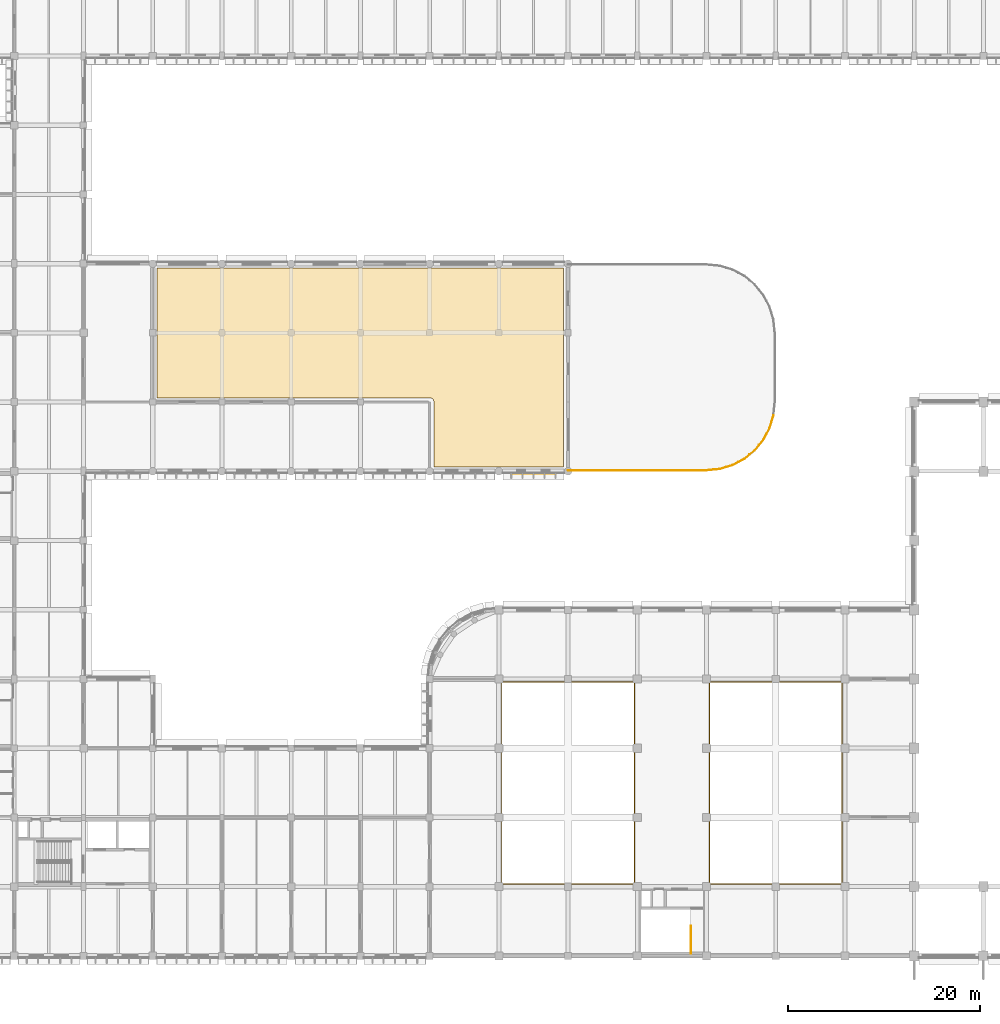
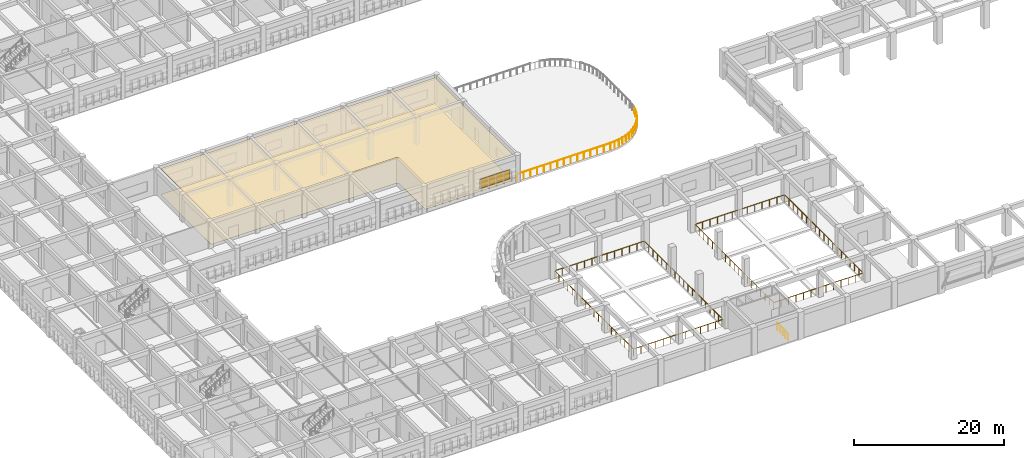
# One storey, part 57 of 61: 12 railings, 2 coverings, 1 shading device.
"""IFC4 building model written with IfcOpenShell, lengths in metres."""

from ifc_helpers import new_model, si_unit, direction, frame, origin, origin_2d, place, context, subcontext, project, spatial, polyline, rectangle, circle, outline, extrude, material, layer, layer_set, type_object, element, save


model = new_model("IFC4")

# Units and contexts
model_context = context("Model", 3, precision=1e-05, world=origin(), true_north=direction((0.0, 1.0)))
body_context = subcontext(model_context, "Body", "Model", "MODEL_VIEW")
ifc_project = project(units=[si_unit("LENGTHUNIT", "METRE"), si_unit("AREAUNIT", "SQUARE_METRE"), si_unit("VOLUMEUNIT", "CUBIC_METRE"), si_unit("PLANEANGLEUNIT", "RADIAN"), si_unit("MASSUNIT", "GRAM", prefix="KILO")], contexts=[model_context])

# Site, building, storey
site_placement = place(None, origin())
site = spatial("IfcSite", under=ifc_project, at=site_placement, CompositionType="ELEMENT")
building_placement = place(site_placement, origin())
building = spatial("IfcBuilding", under=site, at=building_placement, Name="Thalmaran Polytechnic", CompositionType="ELEMENT")
storey_placement = place(building_placement, frame((0.0, 0.0, 9.89990234375)))
storey = spatial("IfcBuildingStorey", under=building, at=storey_placement, Name="L02", CompositionType="ELEMENT", Elevation=9.89990234375)

# Coverings
ifc_material_1 = material(Name="Acoustic mineral fibre ceiling")
ifc_layer_1 = layer(ifc_material_1, 0.02490234375, Name="Acoustic mineral fibre ceiling")
ifc_layer_set_1 = layer_set([ifc_layer_1], Name="Acoustic mineral fibre ceiling")
covering_type_1 = type_object("IfcCoveringType", Name="CV-CL01", PredefinedType="CEILING", material=ifc_layer_set_1)
covering_1_placement = place(storey_placement, frame((0.0, 0.0, 4.2001953125)))
element("IfcCovering", 1, at=covering_1_placement, inside=storey, type_object=covering_type_1, Name="Student Union Reading Lounge Acoustic Ceiling", PredefinedType="CEILING", context=body_context, shape_type="SweptSolid", body=[
    extrude(outline(polyline([(29.25, 71.550048828125), (71.550048828125, 71.550048828125), (71.550048828125, 50.85009765625), (58.050048828125, 50.85009765625), (58.050048828125, 57.60009765625), (58.0478515625, 57.64404296875), (58.041259765625, 57.687744140625), (58.030517578125, 57.730712890625), (58.015625, 57.772216796875), (57.996826171875, 57.81201171875), (57.97412109375, 57.85009765625), (57.94775390625, 57.885498046875), (57.918212890625, 57.918212890625), (57.885498046875, 57.94775390625), (57.85009765625, 57.97412109375), (57.81201171875, 57.996826171875), (57.772216796875, 58.015625), (57.730712890625, 58.030517578125), (57.687744140625, 58.041259765625), (57.64404296875, 58.0478515625), (57.60009765625, 58.050048828125), (29.25, 58.050048828125), (29.25, 71.550048828125)])), origin(), (0.0, 0.0, 1.0), 0.02490234375),
])
ifc_material_2 = material(Name="Polished terrazzo and epoxy lab flooring")
ifc_layer_2 = layer(ifc_material_2, 0.02001953125, Name="Polished terrazzo and epoxy lab flooring")
ifc_layer_set_2 = layer_set([ifc_layer_2], Name="Polished terrazzo and epoxy lab flooring")
covering_type_2 = type_object("IfcCoveringType", Name="CV-FL01", PredefinedType="FLOORING", material=ifc_layer_set_2)
covering_2_placement = place(storey_placement, origin())
element("IfcCovering", 2, at=covering_2_placement, inside=storey, type_object=covering_type_2, Name="Student Union Reading Lounge Specialist Finish Flooring", PredefinedType="FLOORING", context=body_context, shape_type="SweptSolid", body=[
    extrude(outline(polyline([(29.25, 71.550048828125), (71.550048828125, 71.550048828125), (71.550048828125, 50.85009765625), (58.050048828125, 50.85009765625), (58.050048828125, 57.60009765625), (58.0478515625, 57.64404296875), (58.041259765625, 57.687744140625), (58.030517578125, 57.730712890625), (58.015625, 57.772216796875), (57.996826171875, 57.81201171875), (57.97412109375, 57.85009765625), (57.94775390625, 57.885498046875), (57.918212890625, 57.918212890625), (57.885498046875, 57.94775390625), (57.85009765625, 57.97412109375), (57.81201171875, 57.996826171875), (57.772216796875, 58.015625), (57.730712890625, 58.030517578125), (57.687744140625, 58.041259765625), (57.64404296875, 58.0478515625), (57.60009765625, 58.050048828125), (29.25, 58.050048828125), (29.25, 71.550048828125)])), origin(), (0.0, 0.0, 1.0), 0.02001953125),
])

# Railings
ifc_material_3 = material(Name="Stainless steel 316 and laminated glass", Category="steel")
railing_type_1 = type_object("IfcRailingType", Name="RL-BL01", PredefinedType="BALUSTRADE", material=ifc_material_3)
railing_1_placement = place(storey_placement, frame((93.363037109375, 56.21484375, 0.0)))
element("IfcRailing", 3, at=railing_1_placement, inside=storey, type_object=railing_type_1, Name="Terrace Balustrade Guard L02-1-13", PredefinedType="BALUSTRADE", context=body_context, shape_type="SweptSolid", body=[
    extrude(circle(Radius=0.02392578125, at=origin_2d()), frame((0.0, 0.0, 1.1259765625), z_axis=(-0.290323847684, -0.956928452637, 0.0), x_axis=(0.956928452637, -0.290323847684, 0.0)), (0.0, 0.0, 1.0), 1.391845703125),
    extrude(circle(Radius=0.02099609375, at=origin_2d()), origin(), (0.0, 0.0, 1.0), 1.101806640625),
    extrude(circle(Radius=0.02099609375, at=origin_2d()), frame((-0.2021484375, -0.666015625, 0.0)), (0.0, 0.0, 1.0), 1.101806640625),
    extrude(circle(Radius=0.02099609375, at=origin_2d()), frame((-0.404052734375, -1.331787109375, 0.0)), (0.0, 0.0, 1.0), 1.101806640625),
])
railing_2_placement = place(storey_placement, frame((92.958984375, 54.883056640625, 0.0)))
element("IfcRailing", 4, at=railing_2_placement, inside=storey, type_object=railing_type_1, Name="Terrace Balustrade Guard L02-1-14", PredefinedType="BALUSTRADE", context=body_context, shape_type="SweptSolid", body=[
    extrude(circle(Radius=0.02392578125, at=origin_2d()), frame((0.0, 0.0, 1.1259765625), z_axis=(-0.471398445147, -0.88192035123, 0.0), x_axis=(0.88192035123, -0.471398445147, 0.0)), (0.0, 0.0, 1.0), 1.3916015625),
    extrude(circle(Radius=0.02099609375, at=origin_2d()), origin(), (0.0, 0.0, 1.0), 1.101806640625),
    extrude(circle(Radius=0.02099609375, at=origin_2d()), frame((-0.328125, -0.61376953125, 0.0)), (0.0, 0.0, 1.0), 1.101806640625),
    extrude(circle(Radius=0.02099609375, at=origin_2d()), frame((-0.656005859375, -1.227294921875, 0.0)), (0.0, 0.0, 1.0), 1.101806640625),
])
railing_3_placement = place(storey_placement, frame((92.302978515625, 53.65576171875, 0.0)))
element("IfcRailing", 5, at=railing_3_placement, inside=storey, type_object=railing_type_1, Name="Terrace Balustrade Guard L02-1-15", PredefinedType="BALUSTRADE", context=body_context, shape_type="SweptSolid", body=[
    extrude(circle(Radius=0.02392578125, at=origin_2d()), frame((0.0, 0.0, 1.1259765625), z_axis=(-0.634316611678, -0.773073370483, 0.0), x_axis=(0.773073370483, -0.634316611678, 0.0)), (0.0, 0.0, 1.0), 1.391845703125),
    extrude(circle(Radius=0.02099609375, at=origin_2d()), origin(), (0.0, 0.0, 1.0), 1.101806640625),
    extrude(circle(Radius=0.02099609375, at=origin_2d()), frame((-0.44140625, -0.5380859375, 0.0)), (0.0, 0.0, 1.0), 1.101806640625),
    extrude(circle(Radius=0.02099609375, at=origin_2d()), frame((-0.8828125, -1.075927734375, 0.0)), (0.0, 0.0, 1.0), 1.101806640625),
])
railing_4_placement = place(storey_placement, frame((91.420166015625, 52.579833984375, 0.0)))
element("IfcRailing", 6, at=railing_4_placement, inside=storey, type_object=railing_type_1, Name="Terrace Balustrade Guard L02-1-16", PredefinedType="BALUSTRADE", context=body_context, shape_type="SweptSolid", body=[
    extrude(circle(Radius=0.02392578125, at=origin_2d()), frame((0.0, 0.0, 1.1259765625), z_axis=(-0.773073370483, -0.634316611678, 0.0), x_axis=(0.634316611678, -0.773073370483, 0.0)), (0.0, 0.0, 1.0), 1.391845703125),
    extrude(circle(Radius=0.02099609375, at=origin_2d()), origin(), (0.0, 0.0, 1.0), 1.101806640625),
    extrude(circle(Radius=0.02099609375, at=origin_2d()), frame((-0.5380859375, -0.44140625, 0.0)), (0.0, 0.0, 1.0), 1.101806640625),
    extrude(circle(Radius=0.02099609375, at=origin_2d()), frame((-1.075927734375, -0.8828125, 0.0)), (0.0, 0.0, 1.0), 1.101806640625),
])
railing_5_placement = place(storey_placement, frame((90.34423828125, 51.697021484375, 0.0)))
element("IfcRailing", 7, at=railing_5_placement, inside=storey, type_object=railing_type_1, Name="Terrace Balustrade Guard L02-1-17", PredefinedType="BALUSTRADE", context=body_context, shape_type="SweptSolid", body=[
    extrude(circle(Radius=0.02392578125, at=origin_2d()), frame((0.0, 0.0, 1.1259765625), z_axis=(-0.88192035123, -0.471398445147, 0.0), x_axis=(0.471398445147, -0.88192035123, 0.0)), (0.0, 0.0, 1.0), 1.3916015625),
    extrude(circle(Radius=0.02099609375, at=origin_2d()), origin(), (0.0, 0.0, 1.0), 1.101806640625),
    extrude(circle(Radius=0.02099609375, at=origin_2d()), frame((-0.61376953125, -0.328125, 0.0)), (0.0, 0.0, 1.0), 1.101806640625),
    extrude(circle(Radius=0.02099609375, at=origin_2d()), frame((-1.227294921875, -0.656005859375, 0.0)), (0.0, 0.0, 1.0), 1.101806640625),
])
railing_6_placement = place(storey_placement, frame((89.116943359375, 51.041015625, 0.0)))
element("IfcRailing", 8, at=railing_6_placement, inside=storey, type_object=railing_type_1, Name="Terrace Balustrade Guard L02-1-18", PredefinedType="BALUSTRADE", context=body_context, shape_type="SweptSolid", body=[
    extrude(circle(Radius=0.02392578125, at=origin_2d()), frame((0.0, 0.0, 1.1259765625), z_axis=(-0.956928452637, -0.290323847684, 0.0), x_axis=(0.290323847684, -0.956928452637, 0.0)), (0.0, 0.0, 1.0), 1.391845703125),
    extrude(circle(Radius=0.02099609375, at=origin_2d()), origin(), (0.0, 0.0, 1.0), 1.101806640625),
    extrude(circle(Radius=0.02099609375, at=origin_2d()), frame((-0.666015625, -0.2021484375, 0.0)), (0.0, 0.0, 1.0), 1.101806640625),
    extrude(circle(Radius=0.02099609375, at=origin_2d()), frame((-1.331787109375, -0.404052734375, 0.0)), (0.0, 0.0, 1.0), 1.101806640625),
])
railing_7_placement = place(storey_placement, frame((87.78515625, 50.636962890625, 0.0)))
element("IfcRailing", 9, at=railing_7_placement, inside=storey, type_object=railing_type_1, Name="Terrace Balustrade Guard L02-1-19", PredefinedType="BALUSTRADE", context=body_context, shape_type="SweptSolid", body=[
    extrude(circle(Radius=0.02392578125, at=origin_2d()), frame((0.0, 0.0, 1.1259765625), z_axis=(-0.995181487746, -0.098050020131, 0.0), x_axis=(0.098050020131, -0.995181487746, 0.0)), (0.0, 0.0, 1.0), 1.39697265625),
    extrude(circle(Radius=0.02099609375, at=origin_2d()), origin(), (0.0, 0.0, 1.0), 1.101806640625),
    extrude(circle(Radius=0.02099609375, at=origin_2d()), frame((-0.695068359375, -0.068359375, 0.0)), (0.0, 0.0, 1.0), 1.101806640625),
    extrude(circle(Radius=0.02099609375, at=origin_2d()), frame((-1.39013671875, -0.136962890625, 0.0)), (0.0, 0.0, 1.0), 1.101806640625),
])
railing_8_placement = place(storey_placement, frame((86.39501953125, 50.5, 0.0)))
element("IfcRailing", 10, at=railing_8_placement, inside=storey, type_object=railing_type_1, Name="Terrace Balustrade Guard L02-1-20", PredefinedType="BALUSTRADE", context=body_context, shape_type="SweptSolid", body=[
    extrude(circle(Radius=0.02392578125, at=origin_2d()), frame((0.0, 0.0, 1.1259765625), z_axis=(-1.0, 0.0, 0.0), x_axis=(0.0, -1.0, 0.0)), (0.0, 0.0, 1.0), 7.1474609375),
    extrude(circle(Radius=0.02099609375, at=origin_2d()), origin(), (0.0, 0.0, 1.0), 1.101806640625),
    extrude(circle(Radius=0.02099609375, at=origin_2d()), frame((-1.02099609375, 0.0, 0.0)), (0.0, 0.0, 1.0), 1.101806640625),
    extrude(circle(Radius=0.02099609375, at=origin_2d()), frame((-2.042236328125, 0.0, 0.0)), (0.0, 0.0, 1.0), 1.101806640625),
    extrude(circle(Radius=0.02099609375, at=origin_2d()), frame((-3.063232421875, 0.0, 0.0)), (0.0, 0.0, 1.0), 1.101806640625),
    extrude(circle(Radius=0.02099609375, at=origin_2d()), frame((-4.084228515625, 0.0, 0.0)), (0.0, 0.0, 1.0), 1.101806640625),
    extrude(circle(Radius=0.02099609375, at=origin_2d()), frame((-5.105224609375, 0.0, 0.0)), (0.0, 0.0, 1.0), 1.101806640625),
    extrude(circle(Radius=0.02099609375, at=origin_2d()), frame((-6.12646484375, 0.0, 0.0)), (0.0, 0.0, 1.0), 1.101806640625),
    extrude(circle(Radius=0.02099609375, at=origin_2d()), frame((-7.1474609375, 0.0, 0.0)), (0.0, 0.0, 1.0), 1.101806640625),
])
railing_9_placement = place(storey_placement, frame((79.24755859375, 50.5, 0.0)))
element("IfcRailing", 11, at=railing_9_placement, inside=storey, type_object=railing_type_1, Name="Terrace Balustrade Guard L02-1-21", PredefinedType="BALUSTRADE", context=body_context, shape_type="SweptSolid", body=[
    extrude(circle(Radius=0.02392578125, at=origin_2d()), frame((0.0, 0.0, 1.1259765625), z_axis=(-1.0, 0.0, 0.0), x_axis=(0.0, -1.0, 0.0)), (0.0, 0.0, 1.0), 7.237548828125),
    extrude(circle(Radius=0.02099609375, at=origin_2d()), origin(), (0.0, 0.0, 1.0), 1.101806640625),
    extrude(circle(Radius=0.02099609375, at=origin_2d()), frame((-1.033935546875, 0.0, 0.0)), (0.0, 0.0, 1.0), 1.101806640625),
    extrude(circle(Radius=0.02099609375, at=origin_2d()), frame((-2.06787109375, 0.0, 0.0)), (0.0, 0.0, 1.0), 1.101806640625),
    extrude(circle(Radius=0.02099609375, at=origin_2d()), frame((-3.101806640625, 0.0, 0.0)), (0.0, 0.0, 1.0), 1.101806640625),
    extrude(circle(Radius=0.02099609375, at=origin_2d()), frame((-4.1357421875, 0.0, 0.0)), (0.0, 0.0, 1.0), 1.101806640625),
    extrude(circle(Radius=0.02099609375, at=origin_2d()), frame((-5.169677734375, 0.0, 0.0)), (0.0, 0.0, 1.0), 1.101806640625),
    extrude(circle(Radius=0.02099609375, at=origin_2d()), frame((-6.20361328125, 0.0, 0.0)), (0.0, 0.0, 1.0), 1.101806640625),
    extrude(circle(Radius=0.02099609375, at=origin_2d()), frame((-7.237548828125, 0.0, 0.0)), (0.0, 0.0, 1.0), 1.101806640625),
])
ifc_material_4 = material(Name="Stainless steel 316", Category="steel")
railing_type_2 = type_object("IfcRailingType", Name="RL-GR01", PredefinedType="GUARDRAIL", material=ifc_material_4)
railing_10_placement = place(storey_placement, frame((84.77001953125, 0.25, 0.0)))
element("IfcRailing", 12, at=railing_10_placement, inside=storey, type_object=railing_type_2, Name="ST7 L02 Landing Edge Guardrail", PredefinedType="GUARDRAIL", context=body_context, shape_type="SweptSolid", body=[
    extrude(circle(Radius=0.02392578125, at=origin_2d()), frame((0.0, 0.0, 1.1259765625), z_axis=(0.0, 1.0, 0.0), x_axis=(-1.0, 0.0, 0.0)), (0.0, 0.0, 1.0), 2.8701171875),
    extrude(circle(Radius=0.02099609375, at=origin_2d()), origin(), (0.0, 0.0, 1.0), 1.101806640625),
    extrude(circle(Radius=0.02099609375, at=origin_2d()), frame((0.0, 0.717529296875, 0.0)), (0.0, 0.0, 1.0), 1.101806640625),
    extrude(circle(Radius=0.02099609375, at=origin_2d()), frame((0.0, 1.43505859375, 0.0)), (0.0, 0.0, 1.0), 1.101806640625),
    extrude(circle(Radius=0.02099609375, at=origin_2d()), frame((0.0, 2.152587890625, 0.0)), (0.0, 0.0, 1.0), 1.101806640625),
    extrude(circle(Radius=0.02099609375, at=origin_2d()), frame((0.0, 2.8701171875, 0.0)), (0.0, 0.0, 1.0), 1.101806640625),
])
railing_11_placement = place(storey_placement, frame((65.10009765625, 7.5, 0.0)))
element("IfcRailing", 13, at=railing_11_placement, inside=storey, type_object=railing_type_2, Name="Lecture Bowl Gallery Guard L02-1", PredefinedType="GUARDRAIL", context=body_context, shape_type="SweptSolid", body=[
    extrude(circle(Radius=0.02392578125, at=origin_2d()), frame((0.0, 0.0, 1.1259765625), z_axis=(1.0, 0.0, 0.0), x_axis=(0.0, 1.0, 0.0)), (0.0, 0.0, 1.0), 13.7998046875),
    extrude(circle(Radius=0.02392578125, at=origin_2d()), frame((13.7998046875, 0.0, 1.1259765625), z_axis=(0.0, 1.0, 0.0), x_axis=(-1.0, 0.0, 0.0)), (0.0, 0.0, 1.0), 21.0),
    extrude(circle(Radius=0.02392578125, at=origin_2d()), frame((13.7998046875, 21.0, 1.1259765625), z_axis=(-1.0, 0.0, 0.0), x_axis=(0.0, -1.0, 0.0)), (0.0, 0.0, 1.0), 13.7998046875),
    extrude(circle(Radius=0.02392578125, at=origin_2d()), frame((0.0, 21.0, 1.1259765625), z_axis=(0.0, -1.0, 0.0), x_axis=(1.0, 0.0, 0.0)), (0.0, 0.0, 1.0), 21.0),
    extrude(circle(Radius=0.02099609375, at=origin_2d()), origin(), (0.0, 0.0, 1.0), 1.101806640625),
    extrude(circle(Radius=0.02099609375, at=origin_2d()), frame((1.14990234375, 0.0, 0.0)), (0.0, 0.0, 1.0), 1.101806640625),
    extrude(circle(Radius=0.02099609375, at=origin_2d()), frame((2.300048828125, 0.0, 0.0)), (0.0, 0.0, 1.0), 1.101806640625),
    extrude(circle(Radius=0.02099609375, at=origin_2d()), frame((3.449951171875, 0.0, 0.0)), (0.0, 0.0, 1.0), 1.101806640625),
    extrude(circle(Radius=0.02099609375, at=origin_2d()), frame((4.599853515625, 0.0, 0.0)), (0.0, 0.0, 1.0), 1.101806640625),
    extrude(circle(Radius=0.02099609375, at=origin_2d()), frame((5.75, 0.0, 0.0)), (0.0, 0.0, 1.0), 1.101806640625),
    extrude(circle(Radius=0.02099609375, at=origin_2d()), frame((6.89990234375, 0.0, 0.0)), (0.0, 0.0, 1.0), 1.101806640625),
    extrude(circle(Radius=0.02099609375, at=origin_2d()), frame((8.0498046875, 0.0, 0.0)), (0.0, 0.0, 1.0), 1.101806640625),
    extrude(circle(Radius=0.02099609375, at=origin_2d()), frame((9.199951171875, 0.0, 0.0)), (0.0, 0.0, 1.0), 1.101806640625),
    extrude(circle(Radius=0.02099609375, at=origin_2d()), frame((10.349853515625, 0.0, 0.0)), (0.0, 0.0, 1.0), 1.101806640625),
    extrude(circle(Radius=0.02099609375, at=origin_2d()), frame((11.499755859375, 0.0, 0.0)), (0.0, 0.0, 1.0), 1.101806640625),
    extrude(circle(Radius=0.02099609375, at=origin_2d()), frame((12.64990234375, 0.0, 0.0)), (0.0, 0.0, 1.0), 1.101806640625),
    extrude(circle(Radius=0.02099609375, at=origin_2d()), frame((13.7998046875, 0.0, 0.0)), (0.0, 0.0, 1.0), 1.101806640625),
    extrude(circle(Radius=0.02099609375, at=origin_2d()), frame((13.7998046875, 1.166748046875, 0.0)), (0.0, 0.0, 1.0), 1.101806640625),
    extrude(circle(Radius=0.02099609375, at=origin_2d()), frame((13.7998046875, 2.333251953125, 0.0)), (0.0, 0.0, 1.0), 1.101806640625),
    extrude(circle(Radius=0.02099609375, at=origin_2d()), frame((13.7998046875, 3.5, 0.0)), (0.0, 0.0, 1.0), 1.101806640625),
    extrude(circle(Radius=0.02099609375, at=origin_2d()), frame((13.7998046875, 4.666748046875, 0.0)), (0.0, 0.0, 1.0), 1.101806640625),
    extrude(circle(Radius=0.02099609375, at=origin_2d()), frame((13.7998046875, 5.833251953125, 0.0)), (0.0, 0.0, 1.0), 1.101806640625),
    extrude(circle(Radius=0.02099609375, at=origin_2d()), frame((13.7998046875, 7.0, 0.0)), (0.0, 0.0, 1.0), 1.101806640625),
    extrude(circle(Radius=0.02099609375, at=origin_2d()), frame((13.7998046875, 8.166748046875, 0.0)), (0.0, 0.0, 1.0), 1.101806640625),
    extrude(circle(Radius=0.02099609375, at=origin_2d()), frame((13.7998046875, 9.333251953125, 0.0)), (0.0, 0.0, 1.0), 1.101806640625),
    extrude(circle(Radius=0.02099609375, at=origin_2d()), frame((13.7998046875, 10.5, 0.0)), (0.0, 0.0, 1.0), 1.101806640625),
    extrude(circle(Radius=0.02099609375, at=origin_2d()), frame((13.7998046875, 11.666748046875, 0.0)), (0.0, 0.0, 1.0), 1.101806640625),
    extrude(circle(Radius=0.02099609375, at=origin_2d()), frame((13.7998046875, 12.833251953125, 0.0)), (0.0, 0.0, 1.0), 1.101806640625),
    extrude(circle(Radius=0.02099609375, at=origin_2d()), frame((13.7998046875, 14.0, 0.0)), (0.0, 0.0, 1.0), 1.101806640625),
    extrude(circle(Radius=0.02099609375, at=origin_2d()), frame((13.7998046875, 15.166748046875, 0.0)), (0.0, 0.0, 1.0), 1.101806640625),
    extrude(circle(Radius=0.02099609375, at=origin_2d()), frame((13.7998046875, 16.333251953125, 0.0)), (0.0, 0.0, 1.0), 1.101806640625),
    extrude(circle(Radius=0.02099609375, at=origin_2d()), frame((13.7998046875, 17.5, 0.0)), (0.0, 0.0, 1.0), 1.101806640625),
    extrude(circle(Radius=0.02099609375, at=origin_2d()), frame((13.7998046875, 18.666748046875, 0.0)), (0.0, 0.0, 1.0), 1.101806640625),
    extrude(circle(Radius=0.02099609375, at=origin_2d()), frame((13.7998046875, 19.833251953125, 0.0)), (0.0, 0.0, 1.0), 1.101806640625),
    extrude(circle(Radius=0.02099609375, at=origin_2d()), frame((13.7998046875, 21.0, 0.0)), (0.0, 0.0, 1.0), 1.101806640625),
    extrude(circle(Radius=0.02099609375, at=origin_2d()), frame((12.64990234375, 21.0, 0.0)), (0.0, 0.0, 1.0), 1.101806640625),
    extrude(circle(Radius=0.02099609375, at=origin_2d()), frame((11.499755859375, 21.0, 0.0)), (0.0, 0.0, 1.0), 1.101806640625),
    extrude(circle(Radius=0.02099609375, at=origin_2d()), frame((10.349853515625, 21.0, 0.0)), (0.0, 0.0, 1.0), 1.101806640625),
    extrude(circle(Radius=0.02099609375, at=origin_2d()), frame((9.199951171875, 21.0, 0.0)), (0.0, 0.0, 1.0), 1.101806640625),
    extrude(circle(Radius=0.02099609375, at=origin_2d()), frame((8.0498046875, 21.0, 0.0)), (0.0, 0.0, 1.0), 1.101806640625),
    extrude(circle(Radius=0.02099609375, at=origin_2d()), frame((6.89990234375, 21.0, 0.0)), (0.0, 0.0, 1.0), 1.101806640625),
    extrude(circle(Radius=0.02099609375, at=origin_2d()), frame((5.75, 21.0, 0.0)), (0.0, 0.0, 1.0), 1.101806640625),
    extrude(circle(Radius=0.02099609375, at=origin_2d()), frame((4.599853515625, 21.0, 0.0)), (0.0, 0.0, 1.0), 1.101806640625),
    extrude(circle(Radius=0.02099609375, at=origin_2d()), frame((3.449951171875, 21.0, 0.0)), (0.0, 0.0, 1.0), 1.101806640625),
    extrude(circle(Radius=0.02099609375, at=origin_2d()), frame((2.300048828125, 21.0, 0.0)), (0.0, 0.0, 1.0), 1.101806640625),
    extrude(circle(Radius=0.02099609375, at=origin_2d()), frame((1.14990234375, 21.0, 0.0)), (0.0, 0.0, 1.0), 1.101806640625),
    extrude(circle(Radius=0.02099609375, at=origin_2d()), frame((0.0, 21.0, 0.0)), (0.0, 0.0, 1.0), 1.101806640625),
    extrude(circle(Radius=0.02099609375, at=origin_2d()), frame((0.0, 19.833251953125, 0.0)), (0.0, 0.0, 1.0), 1.101806640625),
    extrude(circle(Radius=0.02099609375, at=origin_2d()), frame((0.0, 18.666748046875, 0.0)), (0.0, 0.0, 1.0), 1.101806640625),
    extrude(circle(Radius=0.02099609375, at=origin_2d()), frame((0.0, 17.5, 0.0)), (0.0, 0.0, 1.0), 1.101806640625),
    extrude(circle(Radius=0.02099609375, at=origin_2d()), frame((0.0, 16.333251953125, 0.0)), (0.0, 0.0, 1.0), 1.101806640625),
    extrude(circle(Radius=0.02099609375, at=origin_2d()), frame((0.0, 15.166748046875, 0.0)), (0.0, 0.0, 1.0), 1.101806640625),
    extrude(circle(Radius=0.02099609375, at=origin_2d()), frame((0.0, 14.0, 0.0)), (0.0, 0.0, 1.0), 1.101806640625),
    extrude(circle(Radius=0.02099609375, at=origin_2d()), frame((0.0, 12.833251953125, 0.0)), (0.0, 0.0, 1.0), 1.101806640625),
    extrude(circle(Radius=0.02099609375, at=origin_2d()), frame((0.0, 11.666748046875, 0.0)), (0.0, 0.0, 1.0), 1.101806640625),
    extrude(circle(Radius=0.02099609375, at=origin_2d()), frame((0.0, 10.5, 0.0)), (0.0, 0.0, 1.0), 1.101806640625),
    extrude(circle(Radius=0.02099609375, at=origin_2d()), frame((0.0, 9.333251953125, 0.0)), (0.0, 0.0, 1.0), 1.101806640625),
    extrude(circle(Radius=0.02099609375, at=origin_2d()), frame((0.0, 8.166748046875, 0.0)), (0.0, 0.0, 1.0), 1.101806640625),
    extrude(circle(Radius=0.02099609375, at=origin_2d()), frame((0.0, 7.0, 0.0)), (0.0, 0.0, 1.0), 1.101806640625),
    extrude(circle(Radius=0.02099609375, at=origin_2d()), frame((0.0, 5.833251953125, 0.0)), (0.0, 0.0, 1.0), 1.101806640625),
    extrude(circle(Radius=0.02099609375, at=origin_2d()), frame((0.0, 4.666748046875, 0.0)), (0.0, 0.0, 1.0), 1.101806640625),
    extrude(circle(Radius=0.02099609375, at=origin_2d()), frame((0.0, 3.5, 0.0)), (0.0, 0.0, 1.0), 1.101806640625),
    extrude(circle(Radius=0.02099609375, at=origin_2d()), frame((0.0, 2.333251953125, 0.0)), (0.0, 0.0, 1.0), 1.101806640625),
    extrude(circle(Radius=0.02099609375, at=origin_2d()), frame((0.0, 1.166748046875, 0.0)), (0.0, 0.0, 1.0), 1.101806640625),
])
railing_12_placement = place(storey_placement, frame((86.699951171875, 7.5, 0.0)))
element("IfcRailing", 14, at=railing_12_placement, inside=storey, type_object=railing_type_2, Name="Lecture Bowl Gallery Guard L02-2", PredefinedType="GUARDRAIL", context=body_context, shape_type="SweptSolid", body=[
    extrude(circle(Radius=0.02392578125, at=origin_2d()), frame((0.0, 0.0, 1.1259765625), z_axis=(1.0, 0.0, 0.0), x_axis=(0.0, 1.0, 0.0)), (0.0, 0.0, 1.0), 13.800048828125),
    extrude(circle(Radius=0.02392578125, at=origin_2d()), frame((13.800048828125, 0.0, 1.1259765625), z_axis=(0.0, 1.0, 0.0), x_axis=(-1.0, 0.0, 0.0)), (0.0, 0.0, 1.0), 21.0),
    extrude(circle(Radius=0.02392578125, at=origin_2d()), frame((13.800048828125, 21.0, 1.1259765625), z_axis=(-1.0, 0.0, 0.0), x_axis=(0.0, -1.0, 0.0)), (0.0, 0.0, 1.0), 13.800048828125),
    extrude(circle(Radius=0.02392578125, at=origin_2d()), frame((0.0, 21.0, 1.1259765625), z_axis=(0.0, -1.0, 0.0), x_axis=(1.0, 0.0, 0.0)), (0.0, 0.0, 1.0), 21.0),
    extrude(circle(Radius=0.02099609375, at=origin_2d()), origin(), (0.0, 0.0, 1.0), 1.101806640625),
    extrude(circle(Radius=0.02099609375, at=origin_2d()), frame((1.14990234375, 0.0, 0.0)), (0.0, 0.0, 1.0), 1.101806640625),
    extrude(circle(Radius=0.02099609375, at=origin_2d()), frame((2.300048828125, 0.0, 0.0)), (0.0, 0.0, 1.0), 1.101806640625),
    extrude(circle(Radius=0.02099609375, at=origin_2d()), frame((3.449951171875, 0.0, 0.0)), (0.0, 0.0, 1.0), 1.101806640625),
    extrude(circle(Radius=0.02099609375, at=origin_2d()), frame((4.60009765625, 0.0, 0.0)), (0.0, 0.0, 1.0), 1.101806640625),
    extrude(circle(Radius=0.02099609375, at=origin_2d()), frame((5.75, 0.0, 0.0)), (0.0, 0.0, 1.0), 1.101806640625),
    extrude(circle(Radius=0.02099609375, at=origin_2d()), frame((6.89990234375, 0.0, 0.0)), (0.0, 0.0, 1.0), 1.101806640625),
    extrude(circle(Radius=0.02099609375, at=origin_2d()), frame((8.050048828125, 0.0, 0.0)), (0.0, 0.0, 1.0), 1.101806640625),
    extrude(circle(Radius=0.02099609375, at=origin_2d()), frame((9.199951171875, 0.0, 0.0)), (0.0, 0.0, 1.0), 1.101806640625),
    extrude(circle(Radius=0.02099609375, at=origin_2d()), frame((10.35009765625, 0.0, 0.0)), (0.0, 0.0, 1.0), 1.101806640625),
    extrude(circle(Radius=0.02099609375, at=origin_2d()), frame((11.5, 0.0, 0.0)), (0.0, 0.0, 1.0), 1.101806640625),
    extrude(circle(Radius=0.02099609375, at=origin_2d()), frame((12.650146484375, 0.0, 0.0)), (0.0, 0.0, 1.0), 1.101806640625),
    extrude(circle(Radius=0.02099609375, at=origin_2d()), frame((13.800048828125, 0.0, 0.0)), (0.0, 0.0, 1.0), 1.101806640625),
    extrude(circle(Radius=0.02099609375, at=origin_2d()), frame((13.800048828125, 1.166748046875, 0.0)), (0.0, 0.0, 1.0), 1.101806640625),
    extrude(circle(Radius=0.02099609375, at=origin_2d()), frame((13.800048828125, 2.333251953125, 0.0)), (0.0, 0.0, 1.0), 1.101806640625),
    extrude(circle(Radius=0.02099609375, at=origin_2d()), frame((13.800048828125, 3.5, 0.0)), (0.0, 0.0, 1.0), 1.101806640625),
    extrude(circle(Radius=0.02099609375, at=origin_2d()), frame((13.800048828125, 4.666748046875, 0.0)), (0.0, 0.0, 1.0), 1.101806640625),
    extrude(circle(Radius=0.02099609375, at=origin_2d()), frame((13.800048828125, 5.833251953125, 0.0)), (0.0, 0.0, 1.0), 1.101806640625),
    extrude(circle(Radius=0.02099609375, at=origin_2d()), frame((13.800048828125, 7.0, 0.0)), (0.0, 0.0, 1.0), 1.101806640625),
    extrude(circle(Radius=0.02099609375, at=origin_2d()), frame((13.800048828125, 8.166748046875, 0.0)), (0.0, 0.0, 1.0), 1.101806640625),
    extrude(circle(Radius=0.02099609375, at=origin_2d()), frame((13.800048828125, 9.333251953125, 0.0)), (0.0, 0.0, 1.0), 1.101806640625),
    extrude(circle(Radius=0.02099609375, at=origin_2d()), frame((13.800048828125, 10.5, 0.0)), (0.0, 0.0, 1.0), 1.101806640625),
    extrude(circle(Radius=0.02099609375, at=origin_2d()), frame((13.800048828125, 11.666748046875, 0.0)), (0.0, 0.0, 1.0), 1.101806640625),
    extrude(circle(Radius=0.02099609375, at=origin_2d()), frame((13.800048828125, 12.833251953125, 0.0)), (0.0, 0.0, 1.0), 1.101806640625),
    extrude(circle(Radius=0.02099609375, at=origin_2d()), frame((13.800048828125, 14.0, 0.0)), (0.0, 0.0, 1.0), 1.101806640625),
    extrude(circle(Radius=0.02099609375, at=origin_2d()), frame((13.800048828125, 15.166748046875, 0.0)), (0.0, 0.0, 1.0), 1.101806640625),
    extrude(circle(Radius=0.02099609375, at=origin_2d()), frame((13.800048828125, 16.333251953125, 0.0)), (0.0, 0.0, 1.0), 1.101806640625),
    extrude(circle(Radius=0.02099609375, at=origin_2d()), frame((13.800048828125, 17.5, 0.0)), (0.0, 0.0, 1.0), 1.101806640625),
    extrude(circle(Radius=0.02099609375, at=origin_2d()), frame((13.800048828125, 18.666748046875, 0.0)), (0.0, 0.0, 1.0), 1.101806640625),
    extrude(circle(Radius=0.02099609375, at=origin_2d()), frame((13.800048828125, 19.833251953125, 0.0)), (0.0, 0.0, 1.0), 1.101806640625),
    extrude(circle(Radius=0.02099609375, at=origin_2d()), frame((13.800048828125, 21.0, 0.0)), (0.0, 0.0, 1.0), 1.101806640625),
    extrude(circle(Radius=0.02099609375, at=origin_2d()), frame((12.650146484375, 21.0, 0.0)), (0.0, 0.0, 1.0), 1.101806640625),
    extrude(circle(Radius=0.02099609375, at=origin_2d()), frame((11.5, 21.0, 0.0)), (0.0, 0.0, 1.0), 1.101806640625),
    extrude(circle(Radius=0.02099609375, at=origin_2d()), frame((10.35009765625, 21.0, 0.0)), (0.0, 0.0, 1.0), 1.101806640625),
    extrude(circle(Radius=0.02099609375, at=origin_2d()), frame((9.199951171875, 21.0, 0.0)), (0.0, 0.0, 1.0), 1.101806640625),
    extrude(circle(Radius=0.02099609375, at=origin_2d()), frame((8.050048828125, 21.0, 0.0)), (0.0, 0.0, 1.0), 1.101806640625),
    extrude(circle(Radius=0.02099609375, at=origin_2d()), frame((6.89990234375, 21.0, 0.0)), (0.0, 0.0, 1.0), 1.101806640625),
    extrude(circle(Radius=0.02099609375, at=origin_2d()), frame((5.75, 21.0, 0.0)), (0.0, 0.0, 1.0), 1.101806640625),
    extrude(circle(Radius=0.02099609375, at=origin_2d()), frame((4.60009765625, 21.0, 0.0)), (0.0, 0.0, 1.0), 1.101806640625),
    extrude(circle(Radius=0.02099609375, at=origin_2d()), frame((3.449951171875, 21.0, 0.0)), (0.0, 0.0, 1.0), 1.101806640625),
    extrude(circle(Radius=0.02099609375, at=origin_2d()), frame((2.300048828125, 21.0, 0.0)), (0.0, 0.0, 1.0), 1.101806640625),
    extrude(circle(Radius=0.02099609375, at=origin_2d()), frame((1.14990234375, 21.0, 0.0)), (0.0, 0.0, 1.0), 1.101806640625),
    extrude(circle(Radius=0.02099609375, at=origin_2d()), frame((0.0, 21.0, 0.0)), (0.0, 0.0, 1.0), 1.101806640625),
    extrude(circle(Radius=0.02099609375, at=origin_2d()), frame((0.0, 19.833251953125, 0.0)), (0.0, 0.0, 1.0), 1.101806640625),
    extrude(circle(Radius=0.02099609375, at=origin_2d()), frame((0.0, 18.666748046875, 0.0)), (0.0, 0.0, 1.0), 1.101806640625),
    extrude(circle(Radius=0.02099609375, at=origin_2d()), frame((0.0, 17.5, 0.0)), (0.0, 0.0, 1.0), 1.101806640625),
    extrude(circle(Radius=0.02099609375, at=origin_2d()), frame((0.0, 16.333251953125, 0.0)), (0.0, 0.0, 1.0), 1.101806640625),
    extrude(circle(Radius=0.02099609375, at=origin_2d()), frame((0.0, 15.166748046875, 0.0)), (0.0, 0.0, 1.0), 1.101806640625),
    extrude(circle(Radius=0.02099609375, at=origin_2d()), frame((0.0, 14.0, 0.0)), (0.0, 0.0, 1.0), 1.101806640625),
    extrude(circle(Radius=0.02099609375, at=origin_2d()), frame((0.0, 12.833251953125, 0.0)), (0.0, 0.0, 1.0), 1.101806640625),
    extrude(circle(Radius=0.02099609375, at=origin_2d()), frame((0.0, 11.666748046875, 0.0)), (0.0, 0.0, 1.0), 1.101806640625),
    extrude(circle(Radius=0.02099609375, at=origin_2d()), frame((0.0, 10.5, 0.0)), (0.0, 0.0, 1.0), 1.101806640625),
    extrude(circle(Radius=0.02099609375, at=origin_2d()), frame((0.0, 9.333251953125, 0.0)), (0.0, 0.0, 1.0), 1.101806640625),
    extrude(circle(Radius=0.02099609375, at=origin_2d()), frame((0.0, 8.166748046875, 0.0)), (0.0, 0.0, 1.0), 1.101806640625),
    extrude(circle(Radius=0.02099609375, at=origin_2d()), frame((0.0, 7.0, 0.0)), (0.0, 0.0, 1.0), 1.101806640625),
    extrude(circle(Radius=0.02099609375, at=origin_2d()), frame((0.0, 5.833251953125, 0.0)), (0.0, 0.0, 1.0), 1.101806640625),
    extrude(circle(Radius=0.02099609375, at=origin_2d()), frame((0.0, 4.666748046875, 0.0)), (0.0, 0.0, 1.0), 1.101806640625),
    extrude(circle(Radius=0.02099609375, at=origin_2d()), frame((0.0, 3.5, 0.0)), (0.0, 0.0, 1.0), 1.101806640625),
    extrude(circle(Radius=0.02099609375, at=origin_2d()), frame((0.0, 2.333251953125, 0.0)), (0.0, 0.0, 1.0), 1.101806640625),
    extrude(circle(Radius=0.02099609375, at=origin_2d()), frame((0.0, 1.166748046875, 0.0)), (0.0, 0.0, 1.0), 1.101806640625),
])

# Shading device
ifc_material_5 = material(Name="Perforated anodised-bronze aluminium screen", Category="aluminium")
ifc_layer_3 = layer(ifc_material_5, 0.080078125, Name="Perforated anodised-bronze aluminium screen")
ifc_layer_set_3 = layer_set([ifc_layer_3], Name="Perforated anodised-bronze aluminium screen")
shading_device_type = type_object("IfcShadingDeviceType", Name="SH-JL01", PredefinedType="JALOUSIE", material=ifc_layer_set_3)
shading_device_placement = place(storey_placement, frame((68.39990234375, 50.179931640625, 1.025146484375), z_axis=(0.0, 0.0, 1.0), x_axis=(-1.0, 0.0, 0.0)))
element("IfcShadingDevice", 15, at=shading_device_placement, inside=storey, type_object=shading_device_type, Name="Anodised-Bronze Mashrabiya Solar Screen L02-122", PredefinedType="JALOUSIE", context=body_context, shape_type="SweptSolid", body=[
    extrude(rectangle(XDim=4.60791015625, YDim=0.080078125, at=origin_2d()), origin(), (0.0, 0.0, 1.0), 1.5),
])

save(model, "model.ifc")
